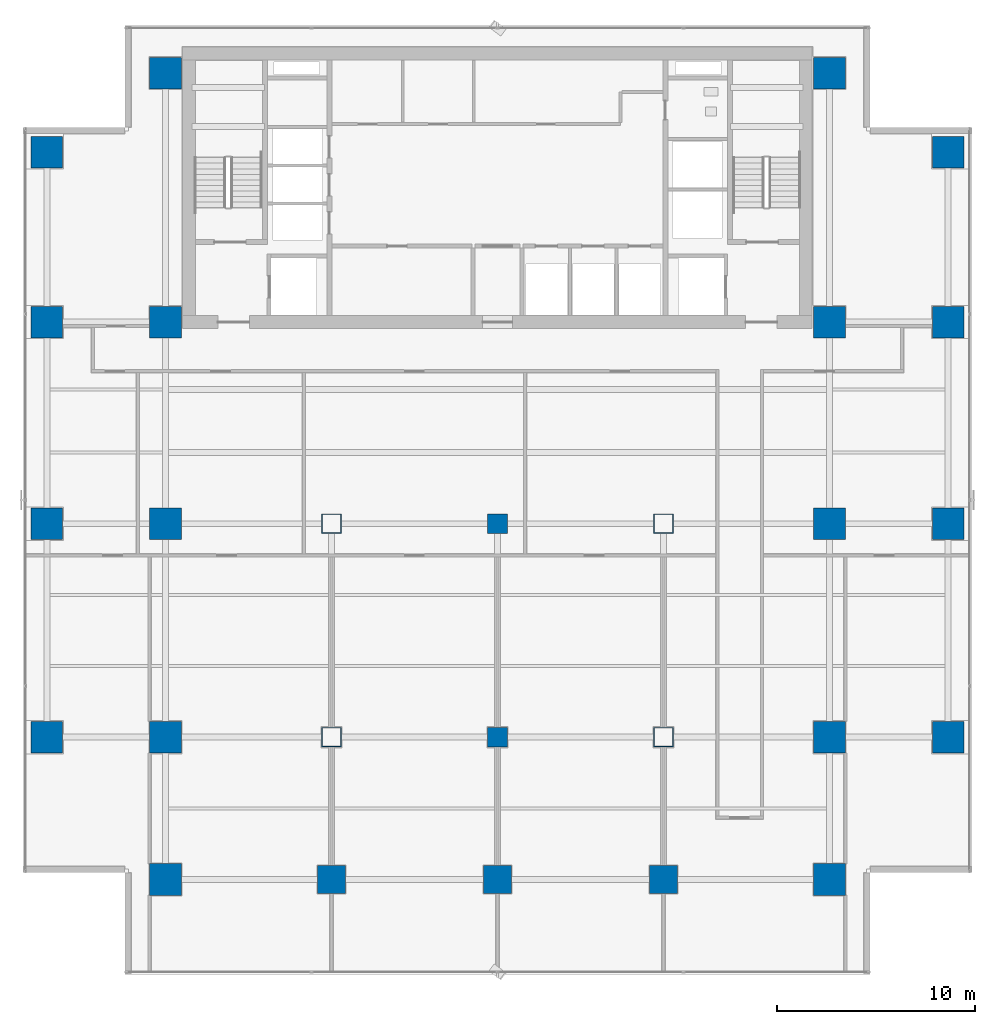
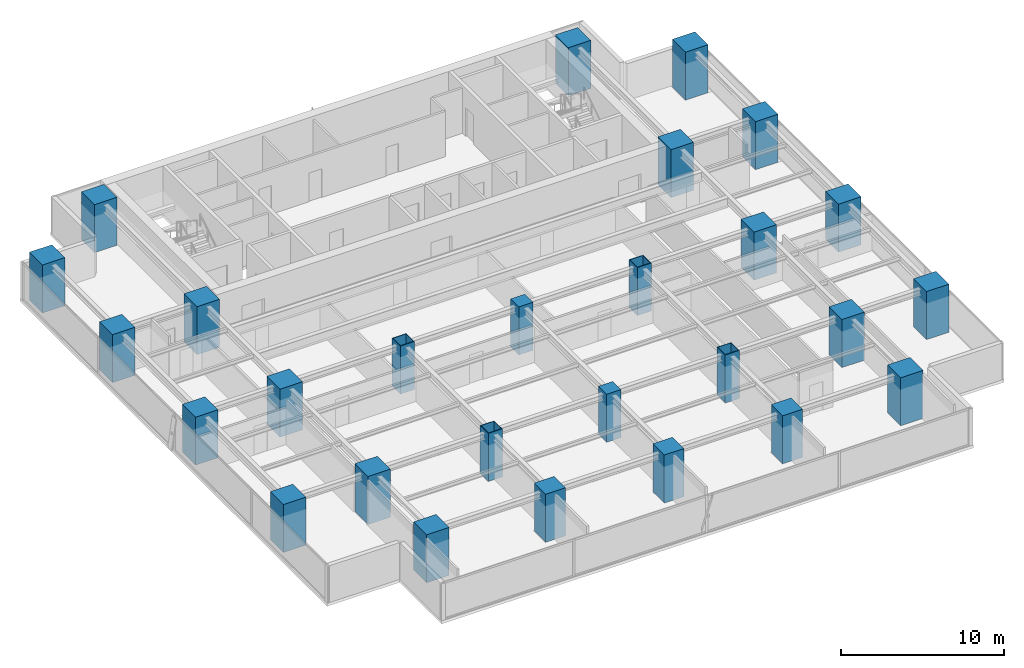
# One storey, part 1 of 28: 27 columns.
"""IFC4 building model written with IfcOpenShell, lengths in metres."""

from ifc_helpers import new_model, si_unit, direction, frame, origin, origin_2d, place, context, subcontext, project, spatial, rectangle, hollow_rectangle, extrude, source, transform, mapped, material, material_profile, profile_set, type_object, element, save


model = new_model("IFC4")

# Units and contexts
model_context = context("Model", 3, precision=1e-05, world=origin(), true_north=direction((0.0, 1.0)))
body_context = subcontext(model_context, "Body", "Model", "MODEL_VIEW")
ifc_project = project(units=[si_unit("LENGTHUNIT", "METRE"), si_unit("AREAUNIT", "SQUARE_METRE"), si_unit("VOLUMEUNIT", "CUBIC_METRE"), si_unit("PLANEANGLEUNIT", "RADIAN"), si_unit("MASSUNIT", "GRAM", prefix="KILO")], contexts=[model_context])

# Site, building, storey
site_placement = place(None, origin())
site = spatial("IfcSite", under=ifc_project, at=site_placement, CompositionType="ELEMENT")
building_placement = place(site_placement, origin())
building = spatial("IfcBuilding", under=site, at=building_placement, Name="Sumidabori Civic Tower", CompositionType="ELEMENT")
storey_placement = place(building_placement, frame((0.0, 0.0, 149.60009765625)))
storey = spatial("IfcBuildingStorey", under=building, at=storey_placement, Name="L38", CompositionType="ELEMENT", Elevation=149.60009765625)

# Columns
ifc_material_1 = material(Name="Concrete C60/75", Category="concrete")
ifc_material_profile_1 = material_profile(ifc_material_1, rectangle(XDim=1.60009765625, YDim=1.60009765625, at=origin_2d()), Name="RC 1600x1600")
ifc_profile_set_1 = profile_set([ifc_material_profile_1], Name="Concrete C60/75")
column_type_1 = type_object("IfcColumnType", Name="CL-MEGA-1600", PredefinedType="COLUMN", material=ifc_profile_set_1)
shared_shape_1 = source(origin(), body_context, "Body", "SweptSolid", [
    extrude(rectangle(XDim=1.60009765625, YDim=1.60009765625, at=origin_2d()), origin(), (0.0, 0.0, 1.0), 3.599853515625),
])
for number, where, z_axis, x_axis, name in (
    (1, (-16.800048828125, -18.0, 0.0), (0.0, 0.0, 1.0), (1.0, 0.0, 0.0), "Column MC-W16-Y18S L38"),
    (2, (-16.800048828125, -10.800048828125, 0.0), (0.0, 0.0, 1.0), (1.0, 0.0, 0.0), "Column MC-W16-Y11S L38"),
    (3, (-16.800048828125, 0.0, 0.0), (0.0, 0.0, 1.0), (1.0, 0.0, 0.0), "Column MC-W16-Y00 L38"),
    (4, (-16.800048828125, 10.199951171875, 0.0), (0.0, 0.0, 1.0), (1.0, 0.0, 0.0), "Column MC-W16-Y10N L38"),
    (5, (-16.800048828125, 22.800048828125, 0.0), (0.0, 0.0, 1.0), (1.0, 0.0, 0.0), "Column MC-W16-Y23N L38"),
    (6, (16.800048828125, -18.0, 0.0), (0.0, 0.0, 1.0), (1.0, 0.0, 0.0), "Column MC-E16-Y18S L38"),
    (7, (16.800048828125, -10.800048828125, 0.0), (0.0, 0.0, 1.0), (1.0, 0.0, 0.0), "Column MC-E16-Y11S L38"),
    (8, (16.800048828125, 0.0, 0.0), (0.0, 0.0, 1.0), (1.0, 0.0, 0.0), "Column MC-E16-Y00 L38"),
    (9, (16.800048828125, 10.199951171875, 0.0), (0.0, 0.0, 1.0), (1.0, 0.0, 0.0), "Column MC-E16-Y10N L38"),
    (10, (16.800048828125, 22.800048828125, 0.0), (0.0, 0.0, 1.0), (1.0, 0.0, 0.0), "Column MC-E16-Y23N L38"),
    (11, (-22.800048828125, -10.800048828125, 0.0), (0.0, 0.0, 1.0), (1.0, 0.0, 0.0), "Column MC-W23-Y11S L38"),
    (12, (-22.800048828125, 0.0, 0.0), (0.0, 0.0, 1.0), (1.0, 0.0, 0.0), "Column MC-W23-Y00 L38"),
    (13, (-22.800048828125, 10.199951171875, 0.0), (0.0, 0.0, 1.0), (1.0, 0.0, 0.0), "Column MC-W23-Y10N L38"),
    (14, (-22.800048828125, 18.800048828125, 0.0), (0.0, 0.0, 1.0), (1.0, 0.0, 0.0), "Column MC-W23-Y19N L38"),
    (15, (22.800048828125, -10.800048828125, 0.0), (0.0, 0.0, 1.0), (1.0, 0.0, 0.0), "Column MC-E23-Y11S L38"),
    (16, (22.800048828125, 0.0, 0.0), (0.0, 0.0, 1.0), (1.0, 0.0, 0.0), "Column MC-E23-Y00 L38"),
    (17, (22.800048828125, 10.199951171875, 0.0), (0.0, 0.0, 1.0), (1.0, 0.0, 0.0), "Column MC-E23-Y10N L38"),
    (18, (22.800048828125, 18.800048828125, 0.0), (0.0, 0.0, 1.0), (1.0, 0.0, 0.0), "Column MC-E23-Y19N L38"),
):
    element("IfcColumn", number, at=place(storey_placement, frame(where, z_axis=z_axis, x_axis=x_axis)), inside=storey, type_object=column_type_1, Name=name, PredefinedType="COLUMN", context=body_context, shape_type="MappedRepresentation", body=[
        mapped(shared_shape_1, transform((0.0, 0.0, 0.0), x_axis=(1.0, 0.0, 0.0), y_axis=(0.0, 1.0, 0.0), z_axis=(0.0, 0.0, 1.0), scale=1.0)),
    ])
ifc_material_2 = material(Name="Steel SM570", Category="steel")
ifc_material_profile_2 = material_profile(ifc_material_2, hollow_rectangle(XDim=1.0, YDim=1.0, WallThickness=0.044921875, at=origin_2d()), Name="SHS 1000x1000x45")
ifc_profile_set_2 = profile_set([ifc_material_profile_2], Name="Steel SM570")
column_type_2 = type_object("IfcColumnType", Name="CL-PORTAL-SHS1000", PredefinedType="COLUMN", material=ifc_profile_set_2)
shared_shape_2 = source(origin(), body_context, "Body", "SweptSolid", [
    extrude(hollow_rectangle(XDim=1.0, YDim=1.0, WallThickness=0.044921875, at=origin_2d()), origin(), (0.0, 0.0, 1.0), 3.599853515625),
])
for number, where, z_axis, x_axis, name in (
    (19, (-8.39990234375, 0.0, 0.0), (0.0, 0.0, 1.0), (1.0, 0.0, 0.0), "Column MC-W08-Y00 L38"),
    (20, (-8.39990234375, -10.800048828125, 0.0), (0.0, 0.0, 1.0), (1.0, 0.0, 0.0), "Column MC-W08-Y11S L38"),
    (21, (8.39990234375, 0.0, 0.0), (0.0, 0.0, 1.0), (1.0, 0.0, 0.0), "Column MC-E08-Y00 L38"),
    (22, (8.39990234375, -10.800048828125, 0.0), (0.0, 0.0, 1.0), (1.0, 0.0, 0.0), "Column MC-E08-Y11S L38"),
):
    element("IfcColumn", number, at=place(storey_placement, frame(where, z_axis=z_axis, x_axis=x_axis)), inside=storey, type_object=column_type_2, Name=name, PredefinedType="COLUMN", context=body_context, shape_type="MappedRepresentation", body=[
        mapped(shared_shape_2, transform((0.0, 0.0, 0.0), x_axis=(1.0, 0.0, 0.0), y_axis=(0.0, 1.0, 0.0), z_axis=(0.0, 0.0, 1.0), scale=1.0)),
    ])
ifc_material_profile_3 = material_profile(ifc_material_1, rectangle(XDim=1.39990234375, YDim=1.39990234375, at=origin_2d()), Name="RC 1400x1400")
ifc_profile_set_3 = profile_set([ifc_material_profile_3], Name="Concrete C60/75")
column_type_3 = type_object("IfcColumnType", Name="CL-MEGA-1400", PredefinedType="COLUMN", material=ifc_profile_set_3)
shared_shape_3 = source(origin(), body_context, "Body", "SweptSolid", [
    extrude(rectangle(XDim=1.39990234375, YDim=1.39990234375, at=origin_2d()), origin(), (0.0, 0.0, 1.0), 3.599853515625),
])
for number, where, z_axis, x_axis, name in (
    (23, (-8.39990234375, -18.0, 0.0), (0.0, 0.0, 1.0), (1.0, 0.0, 0.0), "Column MC-W08-Y18S L38"),
    (24, (8.39990234375, -18.0, 0.0), (0.0, 0.0, 1.0), (1.0, 0.0, 0.0), "Column MC-E08-Y18S L38"),
    (25, (0.0, -18.0, 0.0), (0.0, 0.0, 1.0), (1.0, 0.0, 0.0), "Column MC-C00-Y18S L38"),
):
    element("IfcColumn", number, at=place(storey_placement, frame(where, z_axis=z_axis, x_axis=x_axis)), inside=storey, type_object=column_type_3, Name=name, PredefinedType="COLUMN", context=body_context, shape_type="MappedRepresentation", body=[
        mapped(shared_shape_3, transform((0.0, 0.0, 0.0), x_axis=(1.0, 0.0, 0.0), y_axis=(0.0, 1.0, 0.0), z_axis=(0.0, 0.0, 1.0), scale=1.0)),
    ])
ifc_material_3 = material(Name="Concrete C50/60", Category="concrete")
ifc_material_profile_4 = material_profile(ifc_material_3, rectangle(XDim=1.0, YDim=1.0, at=origin_2d()), Name="RC 1000x1000")
ifc_profile_set_4 = profile_set([ifc_material_profile_4], Name="Concrete C50/60")
column_type_4 = type_object("IfcColumnType", Name="CL-INT-1000", PredefinedType="COLUMN", material=ifc_profile_set_4)
shared_shape_4 = source(origin(), body_context, "Body", "SweptSolid", [
    extrude(rectangle(XDim=1.0, YDim=1.0, at=origin_2d()), origin(), (0.0, 0.0, 1.0), 3.599853515625),
])
for number, where, z_axis, x_axis, name in (
    (26, (0.0, -10.800048828125, 0.0), (0.0, 0.0, 1.0), (1.0, 0.0, 0.0), "Column MC-C00-Y11S L38"),
    (27, (0.0, 0.0, 0.0), (0.0, 0.0, 1.0), (1.0, 0.0, 0.0), "Column MC-C00-Y00 L38"),
):
    element("IfcColumn", number, at=place(storey_placement, frame(where, z_axis=z_axis, x_axis=x_axis)), inside=storey, type_object=column_type_4, Name=name, PredefinedType="COLUMN", context=body_context, shape_type="MappedRepresentation", body=[
        mapped(shared_shape_4, transform((0.0, 0.0, 0.0), x_axis=(1.0, 0.0, 0.0), y_axis=(0.0, 1.0, 0.0), z_axis=(0.0, 0.0, 1.0), scale=1.0)),
    ])

save(model, "model.ifc")
